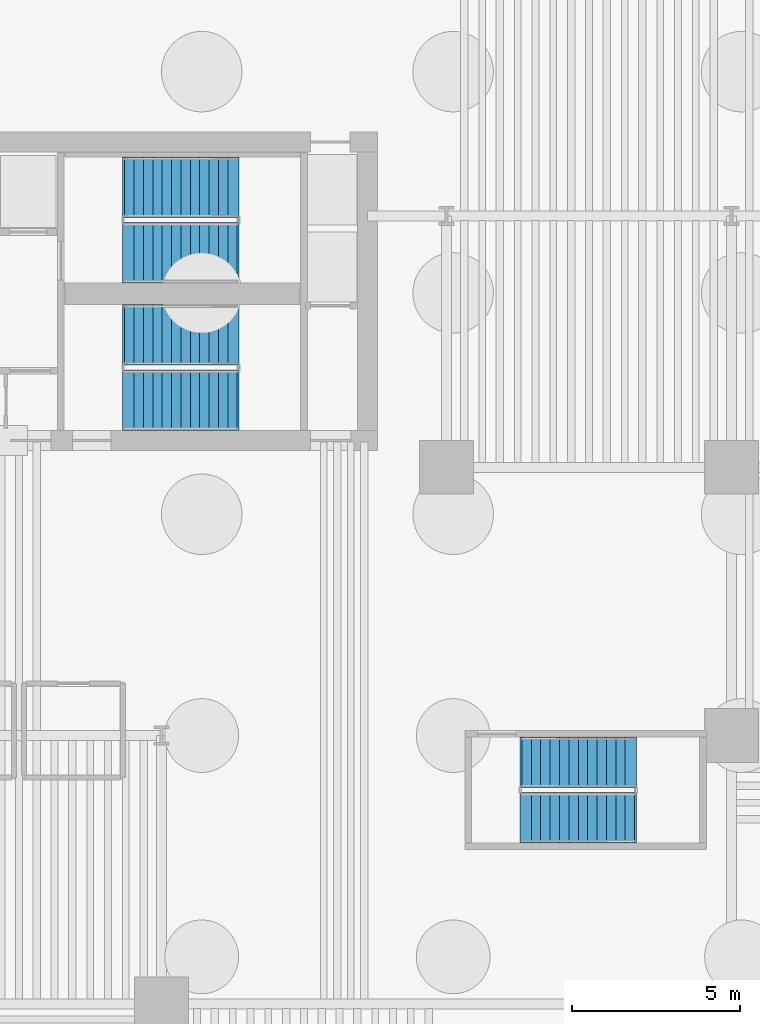
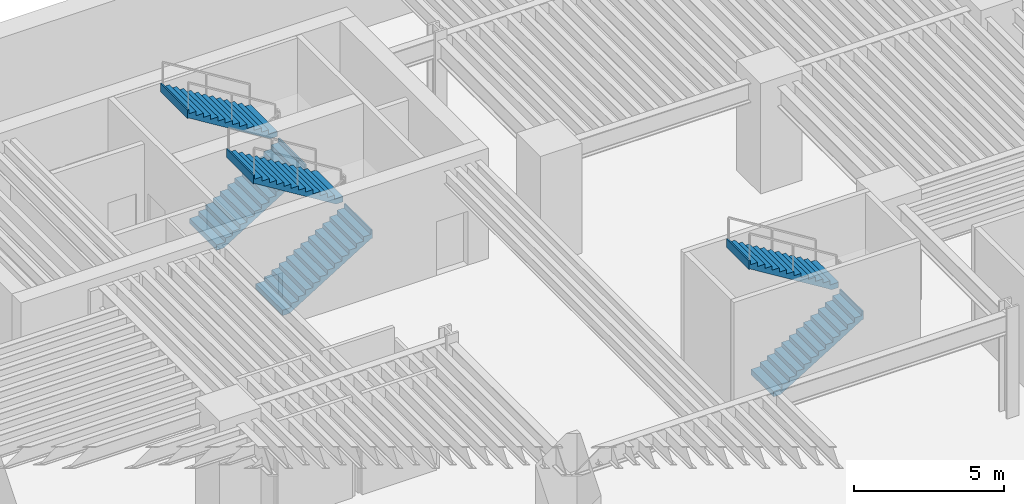
# One storey, part 6 of 11: 6 stair flights, 3 elements without a shape of their own.
"""IFC4 building model written with IfcOpenShell, lengths in metres."""

from ifc_helpers import new_model, si_unit, direction, frame, origin, place, context, subcontext, project, spatial, polyline, outline, extrude, material, type_object, element, aggregate, save


model = new_model("IFC4")

# Units and contexts
model_context = context("Model", 3, precision=1e-05, world=origin(), true_north=direction((0.0, 1.0)))
body_context = subcontext(model_context, "Body", "Model", "MODEL_VIEW")
ifc_project = project(units=[si_unit("LENGTHUNIT", "METRE"), si_unit("AREAUNIT", "SQUARE_METRE"), si_unit("VOLUMEUNIT", "CUBIC_METRE"), si_unit("PLANEANGLEUNIT", "RADIAN"), si_unit("MASSUNIT", "GRAM", prefix="KILO")], contexts=[model_context])

# Site, building, storey
site_placement = place(None, origin())
site = spatial("IfcSite", under=ifc_project, at=site_placement, CompositionType="ELEMENT")
building_placement = place(site_placement, origin())
building = spatial("IfcBuilding", under=site, at=building_placement, Name="Caeloran Harvest Quay", CompositionType="ELEMENT")
storey_placement = place(building_placement, frame((0.0, 0.0, -18.0)))
storey = spatial("IfcBuildingStorey", under=building, at=storey_placement, Name="B04", CompositionType="ELEMENT", Elevation=-18.0)

# Stair, stair flights
ifc_material = material(Name="Concrete C50/60", Category="concrete")
stair_type_1 = type_object("IfcStairType", Name="STAIR-STC-180", PredefinedType="HALF_TURN_STAIR", material=ifc_material)
stair_1_placement = place(storey_placement, origin())
stair_1 = element("IfcStair", 1, at=stair_1_placement, inside=storey, type_object=stair_type_1, Name="B04 Core Pressurized Exit Stair ST-C1", PredefinedType="HALF_TURN_STAIR")
stair_flight_type_1 = type_object("IfcStairFlightType", Name="FLIGHT-STC-180", PredefinedType="STRAIGHT", material=ifc_material)
stair_flight_1_placement = place(storey_placement, frame((15.89990234375, 37.39990234375, 0.0), z_axis=(0.0, 0.0, 1.0), x_axis=(1.0, 0.0, 0.0)))
stair_flight_1 = element("IfcStairFlight", 2, at=stair_flight_1_placement, type_object=stair_flight_type_1, Name="ST-C1 flight 1", NumberOfRisers=13, NumberOfTreads=12, PredefinedType="STRAIGHT", RiserHeight=0.173076923, TreadLength=0.28, context=body_context, shape_type="SweptSolid", body=[
    extrude(outline(polyline([(-0.054931640625, -0.044921875), (-0.054931640625, -0.03125), (-0.054931640625, -0.017822265625), (-0.054931640625, -0.004150390625), (-0.054931640625, 0.009521484375), (-0.054931640625, 0.023193359375), (-0.054931640625, 0.036865234375), (-0.054931640625, 0.05029296875), (-0.054931640625, 0.06396484375), (-0.054931640625, 0.07763671875), (-0.054931640625, 0.09130859375), (-0.054931640625, 0.10498046875), (-0.054931640625, 0.11865234375), (-0.054931640625, 0.132080078125), (-0.054931640625, 0.145751953125), (-0.054931640625, 0.159423828125), (-0.054931640625, 0.173095703125), (0.280029296875, 0.173095703125), (0.280029296875, 0.34619140625), (0.56005859375, 0.34619140625), (0.56005859375, 0.519287109375), (0.840087890625, 0.519287109375), (0.840087890625, 0.6923828125), (1.1201171875, 0.6923828125), (1.1201171875, 0.865478515625), (1.39990234375, 0.865478515625), (1.39990234375, 1.03857421875), (1.679931640625, 1.03857421875), (1.679931640625, 1.21142578125), (1.9599609375, 1.21142578125), (1.9599609375, 1.384521484375), (2.239990234375, 1.384521484375), (2.239990234375, 1.5576171875), (2.52001953125, 1.5576171875), (2.52001953125, 1.730712890625), (2.800048828125, 1.730712890625), (2.800048828125, 1.90380859375), (3.080078125, 1.90380859375), (3.080078125, 2.076904296875), (3.360107421875, 2.076904296875), (3.360107421875, 2.25), (3.4150390625, 2.25), (3.4150390625, 2.228271484375), (3.4150390625, 2.206298828125), (3.4150390625, 2.1845703125), (3.4150390625, 2.16259765625), (3.4150390625, 2.140869140625), (3.4150390625, 2.118896484375), (3.4150390625, 2.09716796875), (3.4150390625, 2.075439453125), (3.4150390625, 2.053466796875), (3.4150390625, 2.03173828125), (3.4150390625, 2.009765625), (3.4150390625, 1.988037109375), (3.4150390625, 1.96630859375), (3.4150390625, 1.9443359375), (3.4150390625, 1.922607421875), (3.4150390625, 1.900634765625), (3.360107421875, 1.900634765625), (0.21240234375, -0.044921875), (-0.054931640625, -0.044921875)])), frame((0.0, 0.89990234375, 0.0), z_axis=(0.0, -1.0, 0.0), x_axis=(1.0, 0.0, 0.0)), (0.0, 0.0, 1.0), 1.800048828125),
])
stair_flight_2_placement = place(storey_placement, frame((19.260009765625, 39.35009765625, 2.25), z_axis=(0.0, 0.0, 1.0), x_axis=(-1.0, 0.0, 0.0)))
stair_flight_2 = element("IfcStairFlight", 3, at=stair_flight_2_placement, type_object=stair_flight_type_1, Name="ST-C1 flight 2", NumberOfRisers=13, NumberOfTreads=12, PredefinedType="STRAIGHT", RiserHeight=0.173076923, TreadLength=0.28, context=body_context, shape_type="SweptSolid", body=[
    extrude(outline(polyline([(-0.054931640625, -0.044921875), (-0.054931640625, -0.03125), (-0.054931640625, -0.017822265625), (-0.054931640625, -0.004150390625), (-0.054931640625, 0.009521484375), (-0.054931640625, 0.023193359375), (-0.054931640625, 0.036865234375), (-0.054931640625, 0.05029296875), (-0.054931640625, 0.06396484375), (-0.054931640625, 0.07763671875), (-0.054931640625, 0.09130859375), (-0.054931640625, 0.10498046875), (-0.054931640625, 0.11865234375), (-0.054931640625, 0.132080078125), (-0.054931640625, 0.145751953125), (-0.054931640625, 0.159423828125), (-0.054931640625, 0.173095703125), (0.280029296875, 0.173095703125), (0.280029296875, 0.34619140625), (0.56005859375, 0.34619140625), (0.56005859375, 0.519287109375), (0.840087890625, 0.519287109375), (0.840087890625, 0.6923828125), (1.1201171875, 0.6923828125), (1.1201171875, 0.865478515625), (1.39990234375, 0.865478515625), (1.39990234375, 1.03857421875), (1.679931640625, 1.03857421875), (1.679931640625, 1.21142578125), (1.9599609375, 1.21142578125), (1.9599609375, 1.384521484375), (2.239990234375, 1.384521484375), (2.239990234375, 1.5576171875), (2.52001953125, 1.5576171875), (2.52001953125, 1.730712890625), (2.800048828125, 1.730712890625), (2.800048828125, 1.90380859375), (3.080078125, 1.90380859375), (3.080078125, 2.076904296875), (3.360107421875, 2.076904296875), (3.360107421875, 2.25), (3.4150390625, 2.25), (3.4150390625, 2.228271484375), (3.4150390625, 2.206298828125), (3.4150390625, 2.1845703125), (3.4150390625, 2.16259765625), (3.4150390625, 2.140869140625), (3.4150390625, 2.118896484375), (3.4150390625, 2.09716796875), (3.4150390625, 2.075439453125), (3.4150390625, 2.053466796875), (3.4150390625, 2.03173828125), (3.4150390625, 2.009765625), (3.4150390625, 1.988037109375), (3.4150390625, 1.96630859375), (3.4150390625, 1.9443359375), (3.4150390625, 1.922607421875), (3.4150390625, 1.900634765625), (3.360107421875, 1.900634765625), (0.21240234375, -0.044921875), (-0.054931640625, -0.044921875)])), frame((0.0, 0.89990234375, 0.0), z_axis=(0.0, -1.0, 0.0), x_axis=(1.0, 0.0, 0.0)), (0.0, 0.0, 1.0), 1.800048828125),
])
aggregate(stair_1, [stair_flight_1, stair_flight_2])

stair_2_placement = place(storey_placement, origin())
stair_2 = element("IfcStair", 4, at=stair_2_placement, inside=storey, type_object=stair_type_1, Name="B04 Core Pressurized Exit Stair ST-C2", PredefinedType="HALF_TURN_STAIR")
stair_flight_3_placement = place(storey_placement, frame((15.89990234375, 33.0, 0.0), z_axis=(0.0, 0.0, 1.0), x_axis=(1.0, 0.0, 0.0)))
stair_flight_3 = element("IfcStairFlight", 5, at=stair_flight_3_placement, type_object=stair_flight_type_1, Name="ST-C2 flight 1", NumberOfRisers=13, NumberOfTreads=12, PredefinedType="STRAIGHT", RiserHeight=0.173076923, TreadLength=0.28, context=body_context, shape_type="SweptSolid", body=[
    extrude(outline(polyline([(-0.054931640625, -0.044921875), (-0.054931640625, -0.03125), (-0.054931640625, -0.017822265625), (-0.054931640625, -0.004150390625), (-0.054931640625, 0.009521484375), (-0.054931640625, 0.023193359375), (-0.054931640625, 0.036865234375), (-0.054931640625, 0.05029296875), (-0.054931640625, 0.06396484375), (-0.054931640625, 0.07763671875), (-0.054931640625, 0.09130859375), (-0.054931640625, 0.10498046875), (-0.054931640625, 0.11865234375), (-0.054931640625, 0.132080078125), (-0.054931640625, 0.145751953125), (-0.054931640625, 0.159423828125), (-0.054931640625, 0.173095703125), (0.280029296875, 0.173095703125), (0.280029296875, 0.34619140625), (0.56005859375, 0.34619140625), (0.56005859375, 0.519287109375), (0.840087890625, 0.519287109375), (0.840087890625, 0.6923828125), (1.1201171875, 0.6923828125), (1.1201171875, 0.865478515625), (1.39990234375, 0.865478515625), (1.39990234375, 1.03857421875), (1.679931640625, 1.03857421875), (1.679931640625, 1.21142578125), (1.9599609375, 1.21142578125), (1.9599609375, 1.384521484375), (2.239990234375, 1.384521484375), (2.239990234375, 1.5576171875), (2.52001953125, 1.5576171875), (2.52001953125, 1.730712890625), (2.800048828125, 1.730712890625), (2.800048828125, 1.90380859375), (3.080078125, 1.90380859375), (3.080078125, 2.076904296875), (3.360107421875, 2.076904296875), (3.360107421875, 2.25), (3.4150390625, 2.25), (3.4150390625, 2.228271484375), (3.4150390625, 2.206298828125), (3.4150390625, 2.1845703125), (3.4150390625, 2.16259765625), (3.4150390625, 2.140869140625), (3.4150390625, 2.118896484375), (3.4150390625, 2.09716796875), (3.4150390625, 2.075439453125), (3.4150390625, 2.053466796875), (3.4150390625, 2.03173828125), (3.4150390625, 2.009765625), (3.4150390625, 1.988037109375), (3.4150390625, 1.96630859375), (3.4150390625, 1.9443359375), (3.4150390625, 1.922607421875), (3.4150390625, 1.900634765625), (3.360107421875, 1.900634765625), (0.21240234375, -0.044921875), (-0.054931640625, -0.044921875)])), frame((0.0, 0.89990234375, 0.0), z_axis=(0.0, -1.0, 0.0), x_axis=(1.0, 0.0, 0.0)), (0.0, 0.0, 1.0), 1.800048828125),
])
stair_flight_4_placement = place(storey_placement, frame((19.260009765625, 34.949951171875, 2.25), z_axis=(0.0, 0.0, 1.0), x_axis=(-1.0, 0.0, 0.0)))
stair_flight_4 = element("IfcStairFlight", 6, at=stair_flight_4_placement, type_object=stair_flight_type_1, Name="ST-C2 flight 2", NumberOfRisers=13, NumberOfTreads=12, PredefinedType="STRAIGHT", RiserHeight=0.173076923, TreadLength=0.28, context=body_context, shape_type="SweptSolid", body=[
    extrude(outline(polyline([(-0.054931640625, -0.044921875), (-0.054931640625, -0.03125), (-0.054931640625, -0.017822265625), (-0.054931640625, -0.004150390625), (-0.054931640625, 0.009521484375), (-0.054931640625, 0.023193359375), (-0.054931640625, 0.036865234375), (-0.054931640625, 0.05029296875), (-0.054931640625, 0.06396484375), (-0.054931640625, 0.07763671875), (-0.054931640625, 0.09130859375), (-0.054931640625, 0.10498046875), (-0.054931640625, 0.11865234375), (-0.054931640625, 0.132080078125), (-0.054931640625, 0.145751953125), (-0.054931640625, 0.159423828125), (-0.054931640625, 0.173095703125), (0.280029296875, 0.173095703125), (0.280029296875, 0.34619140625), (0.56005859375, 0.34619140625), (0.56005859375, 0.519287109375), (0.840087890625, 0.519287109375), (0.840087890625, 0.6923828125), (1.1201171875, 0.6923828125), (1.1201171875, 0.865478515625), (1.39990234375, 0.865478515625), (1.39990234375, 1.03857421875), (1.679931640625, 1.03857421875), (1.679931640625, 1.21142578125), (1.9599609375, 1.21142578125), (1.9599609375, 1.384521484375), (2.239990234375, 1.384521484375), (2.239990234375, 1.5576171875), (2.52001953125, 1.5576171875), (2.52001953125, 1.730712890625), (2.800048828125, 1.730712890625), (2.800048828125, 1.90380859375), (3.080078125, 1.90380859375), (3.080078125, 2.076904296875), (3.360107421875, 2.076904296875), (3.360107421875, 2.25), (3.4150390625, 2.25), (3.4150390625, 2.228271484375), (3.4150390625, 2.206298828125), (3.4150390625, 2.1845703125), (3.4150390625, 2.16259765625), (3.4150390625, 2.140869140625), (3.4150390625, 2.118896484375), (3.4150390625, 2.09716796875), (3.4150390625, 2.075439453125), (3.4150390625, 2.053466796875), (3.4150390625, 2.03173828125), (3.4150390625, 2.009765625), (3.4150390625, 1.988037109375), (3.4150390625, 1.96630859375), (3.4150390625, 1.9443359375), (3.4150390625, 1.922607421875), (3.4150390625, 1.900634765625), (3.360107421875, 1.900634765625), (0.21240234375, -0.044921875), (-0.054931640625, -0.044921875)])), frame((0.0, 0.89990234375, 0.0), z_axis=(0.0, -1.0, 0.0), x_axis=(1.0, 0.0, 0.0)), (0.0, 0.0, 1.0), 1.800048828125),
])
aggregate(stair_2, [stair_flight_3, stair_flight_4])

stair_type_2 = type_object("IfcStairType", Name="STAIR-STW-150", PredefinedType="HALF_TURN_STAIR", material=ifc_material)
stair_3_placement = place(storey_placement, origin())
stair_3 = element("IfcStair", 7, at=stair_3_placement, inside=storey, type_object=stair_type_2, Name="B04 East Wing Protected Exit Stair ST-W1", PredefinedType="HALF_TURN_STAIR")
stair_flight_type_2 = type_object("IfcStairFlightType", Name="FLIGHT-STW-150", PredefinedType="STRAIGHT", material=ifc_material)
stair_flight_5_placement = place(storey_placement, frame((27.75, 20.550048828125, 0.0), z_axis=(0.0, 0.0, 1.0), x_axis=(1.0, 0.0, 0.0)))
stair_flight_5 = element("IfcStairFlight", 8, at=stair_flight_5_placement, type_object=stair_flight_type_2, Name="ST-W1 flight 1", NumberOfRisers=13, NumberOfTreads=12, PredefinedType="STRAIGHT", RiserHeight=0.173076923, TreadLength=0.28, context=body_context, shape_type="SweptSolid", body=[
    extrude(outline(polyline([(-0.054931640625, -0.044921875), (-0.054931640625, -0.03125), (-0.054931640625, -0.017822265625), (-0.054931640625, -0.004150390625), (-0.054931640625, 0.009521484375), (-0.054931640625, 0.023193359375), (-0.054931640625, 0.036865234375), (-0.054931640625, 0.05029296875), (-0.054931640625, 0.06396484375), (-0.054931640625, 0.07763671875), (-0.054931640625, 0.09130859375), (-0.054931640625, 0.10498046875), (-0.054931640625, 0.11865234375), (-0.054931640625, 0.132080078125), (-0.054931640625, 0.145751953125), (-0.054931640625, 0.159423828125), (-0.054931640625, 0.173095703125), (0.280029296875, 0.173095703125), (0.280029296875, 0.34619140625), (0.56005859375, 0.34619140625), (0.56005859375, 0.519287109375), (0.840087890625, 0.519287109375), (0.840087890625, 0.6923828125), (1.1201171875, 0.6923828125), (1.1201171875, 0.865478515625), (1.39990234375, 0.865478515625), (1.39990234375, 1.03857421875), (1.679931640625, 1.03857421875), (1.679931640625, 1.21142578125), (1.9599609375, 1.21142578125), (1.9599609375, 1.384521484375), (2.239990234375, 1.384521484375), (2.239990234375, 1.5576171875), (2.52001953125, 1.5576171875), (2.52001953125, 1.730712890625), (2.800048828125, 1.730712890625), (2.800048828125, 1.90380859375), (3.080078125, 1.90380859375), (3.080078125, 2.076904296875), (3.360107421875, 2.076904296875), (3.360107421875, 2.25), (3.4150390625, 2.25), (3.4150390625, 2.228271484375), (3.4150390625, 2.206298828125), (3.4150390625, 2.1845703125), (3.4150390625, 2.16259765625), (3.4150390625, 2.140869140625), (3.4150390625, 2.118896484375), (3.4150390625, 2.09716796875), (3.4150390625, 2.075439453125), (3.4150390625, 2.053466796875), (3.4150390625, 2.03173828125), (3.4150390625, 2.009765625), (3.4150390625, 1.988037109375), (3.4150390625, 1.96630859375), (3.4150390625, 1.9443359375), (3.4150390625, 1.922607421875), (3.4150390625, 1.900634765625), (3.360107421875, 1.900634765625), (0.21240234375, -0.044921875), (-0.054931640625, -0.044921875)])), frame((0.0, 0.75, 0.0), z_axis=(0.0, -1.0, 0.0), x_axis=(1.0, 0.0, 0.0)), (0.0, 0.0, 1.0), 1.5),
])
stair_flight_6_placement = place(storey_placement, frame((31.110107421875, 22.199951171875, 2.25), z_axis=(0.0, 0.0, 1.0), x_axis=(-1.0, 0.0, 0.0)))
stair_flight_6 = element("IfcStairFlight", 9, at=stair_flight_6_placement, type_object=stair_flight_type_2, Name="ST-W1 flight 2", NumberOfRisers=13, NumberOfTreads=12, PredefinedType="STRAIGHT", RiserHeight=0.173076923, TreadLength=0.28, context=body_context, shape_type="SweptSolid", body=[
    extrude(outline(polyline([(-0.054931640625, -0.044921875), (-0.054931640625, -0.03125), (-0.054931640625, -0.017822265625), (-0.054931640625, -0.004150390625), (-0.054931640625, 0.009521484375), (-0.054931640625, 0.023193359375), (-0.054931640625, 0.036865234375), (-0.054931640625, 0.05029296875), (-0.054931640625, 0.06396484375), (-0.054931640625, 0.07763671875), (-0.054931640625, 0.09130859375), (-0.054931640625, 0.10498046875), (-0.054931640625, 0.11865234375), (-0.054931640625, 0.132080078125), (-0.054931640625, 0.145751953125), (-0.054931640625, 0.159423828125), (-0.054931640625, 0.173095703125), (0.280029296875, 0.173095703125), (0.280029296875, 0.34619140625), (0.56005859375, 0.34619140625), (0.56005859375, 0.519287109375), (0.840087890625, 0.519287109375), (0.840087890625, 0.6923828125), (1.1201171875, 0.6923828125), (1.1201171875, 0.865478515625), (1.39990234375, 0.865478515625), (1.39990234375, 1.03857421875), (1.679931640625, 1.03857421875), (1.679931640625, 1.21142578125), (1.9599609375, 1.21142578125), (1.9599609375, 1.384521484375), (2.239990234375, 1.384521484375), (2.239990234375, 1.5576171875), (2.52001953125, 1.5576171875), (2.52001953125, 1.730712890625), (2.800048828125, 1.730712890625), (2.800048828125, 1.90380859375), (3.080078125, 1.90380859375), (3.080078125, 2.076904296875), (3.360107421875, 2.076904296875), (3.360107421875, 2.25), (3.4150390625, 2.25), (3.4150390625, 2.228271484375), (3.4150390625, 2.206298828125), (3.4150390625, 2.1845703125), (3.4150390625, 2.16259765625), (3.4150390625, 2.140869140625), (3.4150390625, 2.118896484375), (3.4150390625, 2.09716796875), (3.4150390625, 2.075439453125), (3.4150390625, 2.053466796875), (3.4150390625, 2.03173828125), (3.4150390625, 2.009765625), (3.4150390625, 1.988037109375), (3.4150390625, 1.96630859375), (3.4150390625, 1.9443359375), (3.4150390625, 1.922607421875), (3.4150390625, 1.900634765625), (3.360107421875, 1.900634765625), (0.21240234375, -0.044921875), (-0.054931640625, -0.044921875)])), frame((0.0, 0.75, 0.0), z_axis=(0.0, -1.0, 0.0), x_axis=(1.0, 0.0, 0.0)), (0.0, 0.0, 1.0), 1.5),
])
aggregate(stair_3, [stair_flight_5, stair_flight_6])

save(model, "model.ifc")
